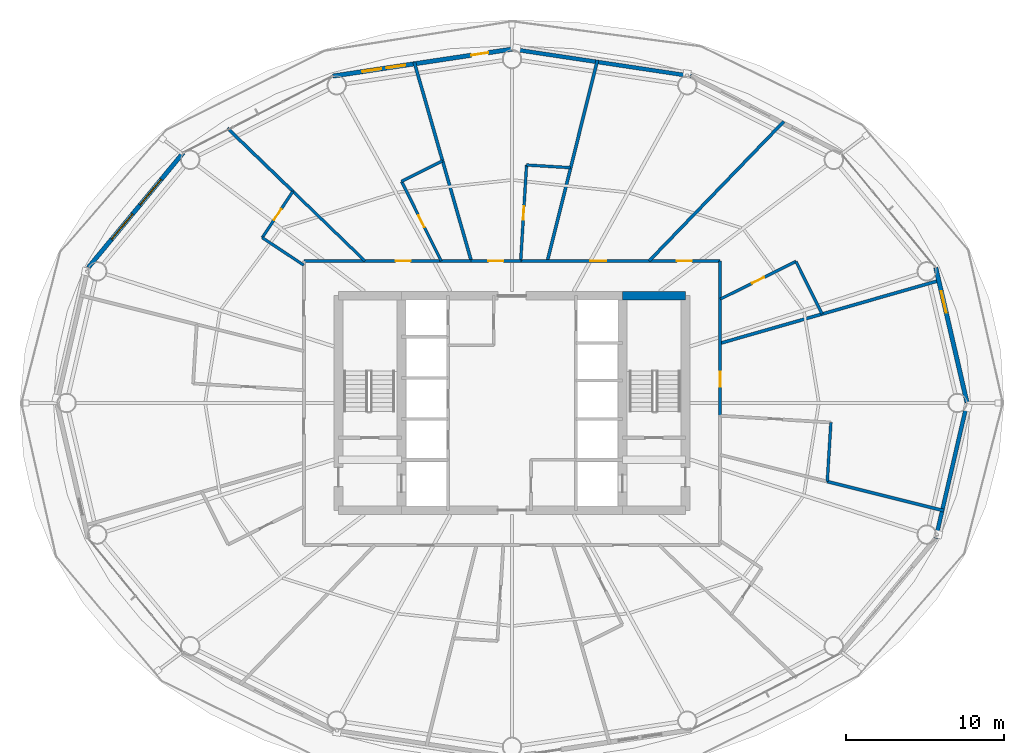
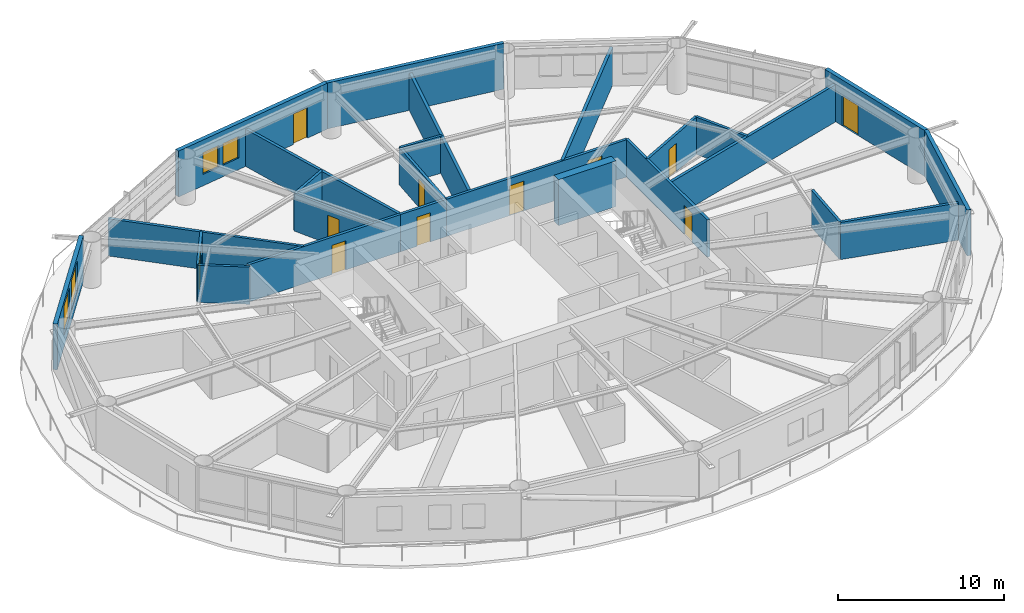
# One storey, part 20 of 24: 26 walls, 11 doors, 4 windows, 15 openings.
"""IFC4 building model written with IfcOpenShell, lengths in metres."""

from ifc_helpers import new_model, si_unit, direction, frame, frame_2d, origin, place, context, subcontext, project, spatial, rectangle, extrude, material, layer, layer_set, type_object, element, fill, save


model = new_model("IFC4")

# Units and contexts
model_context = context("Model", 3, precision=1e-05, world=origin(), true_north=direction((0.0, 1.0)))
body_context = subcontext(model_context, "Body", "Model", "MODEL_VIEW")
ifc_project = project(units=[si_unit("LENGTHUNIT", "METRE"), si_unit("AREAUNIT", "SQUARE_METRE"), si_unit("VOLUMEUNIT", "CUBIC_METRE"), si_unit("PLANEANGLEUNIT", "RADIAN"), si_unit("MASSUNIT", "GRAM", prefix="KILO")], contexts=[model_context])

# Site, building, storey
site_placement = place(None, origin())
site = spatial("IfcSite", under=ifc_project, at=site_placement, CompositionType="ELEMENT")
building_placement = place(site_placement, origin())
building = spatial("IfcBuilding", under=site, at=building_placement, Name="Sarneth Arch Tower", CompositionType="ELEMENT")
storey_placement = place(building_placement, frame((0.0, 0.0, 102.0)))
storey = spatial("IfcBuildingStorey", under=building, at=storey_placement, Name="L25", CompositionType="ELEMENT", Elevation=102.0)

# Wall
ifc_material_1 = material(Name="Concrete C60/75", Category="concrete")
ifc_layer_1 = layer(ifc_material_1, 0.550048828125)
ifc_layer_set_1 = layer_set([ifc_layer_1], Name="Concrete C60/75")
wall_type_1 = type_object("IfcWallType", Name="WALL-CORE-550", PredefinedType="SHEAR", material=ifc_layer_set_1)
wall_1_placement = place(storey_placement, frame((55.0, 48.800048828125, 0.0), z_axis=(0.0, 0.0, 1.0), x_axis=(1.0, 0.0, 0.0)))
element("IfcWall", 1, at=wall_1_placement, inside=storey, type_object=wall_type_1, Name="L25 Core shear wall N-E", PredefinedType="SHEAR", context=body_context, shape_type="SweptSolid", body=[
    extrude(rectangle(XDim=4.0, YDim=0.550048828125, at=frame_2d((2.0, 0.0))), origin(), (0.0, 0.0, 1.0), 3.3798828125),
])

# Wall, openings, doors
ifc_material_2 = material(Name="Double steel-stud corridor fire wall", Category="steel")
ifc_layer_2 = layer(ifc_material_2, 0.18994140625)
ifc_layer_set_2 = layer_set([ifc_layer_2], Name="Double steel-stud corridor fire wall")
wall_type_2 = type_object("IfcWallType", Name="WALL-CORR-190", PredefinedType="PARTITIONING", material=ifc_layer_set_2)
wall_2_placement = place(storey_placement, frame((48.518310546875, 51.0, 0.0), z_axis=(0.0, 0.0, 1.0), x_axis=(1.0, 0.0, 0.0)))
wall_2 = element("IfcWall", 2, at=wall_2_placement, inside=storey, type_object=wall_type_2, Name="L25 Interior partition W-L25-TP-004", PredefinedType="PARTITIONING", context=body_context, shape_type="SweptSolid", body=[
    extrude(rectangle(XDim=12.681640625, YDim=0.18994140625, at=frame_2d((6.3408203125, 0.0))), origin(), (0.0, 0.0, 1.0), 2.739990234375),
])
opening_1_placement = place(wall_2_placement, frame((4.455078125, 0.0, 0.0)))
opening_1 = element("IfcOpeningElement", 3, at=opening_1_placement, cuts=wall_2, Name="Opening FD-08", PredefinedType="OPENING", context=body_context, shape_type="SweptSolid", body=[
    extrude(rectangle(XDim=1.0, YDim=2.199951171875, at=frame_2d((0.5, 1.10009765625))), frame((0.0, 0.10498046875, 0.0), z_axis=(0.0, -1.0, 0.0), x_axis=(1.0, 0.0, 0.0)), (0.0, 0.0, 1.0), 0.2099609375),
])
opening_2_placement = place(wall_2_placement, frame((9.929931640625, 0.0, 0.0)))
opening_2 = element("IfcOpeningElement", 4, at=opening_2_placement, cuts=wall_2, Name="Opening FD-09", PredefinedType="OPENING", context=body_context, shape_type="SweptSolid", body=[
    extrude(rectangle(XDim=0.949951171875, YDim=2.14990234375, at=frame_2d((0.47509765625, 1.074951171875))), frame((0.0, 0.10498046875, 0.0), z_axis=(0.0, -1.0, 0.0), x_axis=(1.0, 0.0, 0.0)), (0.0, 0.0, 1.0), 0.2099609375),
])
ifc_material_3 = material(Name="Hardwood timber acoustic fire door", Category="wood")
door_type_1 = type_object("IfcDoorType", Name="DR-FD60-1000", OperationType="SINGLE_SWING_LEFT", PredefinedType="DOOR", material=ifc_material_3)
door_1_placement = place(opening_1_placement, origin())
door_1 = element("IfcDoor", 5, at=door_1_placement, inside=storey, type_object=door_type_1, Name="L25 Interior door DR-L25-AMN-02", OperationType="SINGLE_SWING_RIGHT", OverallHeight=2.199951171875, OverallWidth=1.0, PredefinedType="DOOR", context=body_context, shape_type="SweptSolid", body=[
    extrude(rectangle(XDim=1.0, YDim=2.199951171875, at=frame_2d((0.5, 1.10009765625))), frame((0.0, 0.02490234375, 0.0), z_axis=(0.0, -1.0, 0.0), x_axis=(1.0, 0.0, 0.0)), (0.0, 0.0, 1.0), 0.050048828125),
])
fill(opening_1, door_1)
ifc_material_4 = material(Name="Hardwood timber hotel entrance fire door", Category="wood")
door_type_2 = type_object("IfcDoorType", Name="DR-FD60-950", OperationType="SINGLE_SWING_RIGHT", PredefinedType="DOOR", material=ifc_material_4)
door_2_placement = place(opening_2_placement, origin())
door_2 = element("IfcDoor", 6, at=door_2_placement, inside=storey, type_object=door_type_2, Name="L25 Interior door DR-L25-KEY-01", OperationType="SINGLE_SWING_LEFT", OverallHeight=2.14990234375, OverallWidth=0.949951171875, PredefinedType="DOOR", context=body_context, shape_type="SweptSolid", body=[
    extrude(rectangle(XDim=0.949951171875, YDim=2.14990234375, at=frame_2d((0.47509765625, 1.074951171875))), frame((0.0, 0.02490234375, 0.0), z_axis=(0.0, -1.0, 0.0), x_axis=(1.0, 0.0, 0.0)), (0.0, 0.0, 1.0), 0.050048828125),
])
fill(opening_2, door_2)

# Wall, opening, door
wall_3_placement = place(storey_placement, frame((34.800048828125, 51.0, 0.0), z_axis=(0.0, 0.0, 1.0), x_axis=(1.0, 0.0, 0.0)))
wall_3 = element("IfcWall", 7, at=wall_3_placement, inside=storey, type_object=wall_type_2, Name="L25 Interior partition W-L25-TP-007", PredefinedType="PARTITIONING", context=body_context, shape_type="SweptSolid", body=[
    extrude(rectangle(XDim=10.652587890625, YDim=0.18994140625, at=frame_2d((5.326171875, 0.0))), origin(), (0.0, 0.0, 1.0), 2.739990234375),
])
opening_3_placement = place(wall_3_placement, frame((5.81640625, 0.0, 0.0)))
opening_3 = element("IfcOpeningElement", 8, at=opening_3_placement, cuts=wall_3, Name="Opening FD-09", PredefinedType="OPENING", context=body_context, shape_type="SweptSolid", body=[
    extrude(rectangle(XDim=0.949951171875, YDim=2.14990234375, at=frame_2d((0.47509765625, 1.074951171875))), frame((0.0, 0.10498046875, 0.0), z_axis=(0.0, -1.0, 0.0), x_axis=(1.0, 0.0, 0.0)), (0.0, 0.0, 1.0), 0.2099609375),
])
door_3_placement = place(opening_3_placement, origin())
door_3 = element("IfcDoor", 9, at=door_3_placement, inside=storey, type_object=door_type_2, Name="L25 Interior door DR-L25-KEY-04", OperationType="SINGLE_SWING_LEFT", OverallHeight=2.14990234375, OverallWidth=0.949951171875, PredefinedType="DOOR", context=body_context, shape_type="SweptSolid", body=[
    extrude(rectangle(XDim=0.949951171875, YDim=2.14990234375, at=frame_2d((0.47509765625, 1.074951171875))), frame((0.0, 0.02490234375, 0.0), z_axis=(0.0, -1.0, 0.0), x_axis=(1.0, 0.0, 0.0)), (0.0, 0.0, 1.0), 0.050048828125),
])
fill(opening_3, door_3)

wall_4_placement = place(storey_placement, frame((61.199951171875, 51.0, 0.0), z_axis=(0.0, 0.0, 1.0), x_axis=(0.0, -1.0, 0.0)))
wall_4 = element("IfcWall", 10, at=wall_4_placement, inside=storey, type_object=wall_type_2, Name="L25 Interior partition W-L25-TP-025", PredefinedType="PARTITIONING", context=body_context, shape_type="SweptSolid", body=[
    extrude(rectangle(XDim=9.83935546875, YDim=0.18994140625, at=frame_2d((4.919677734375, 0.0))), origin(), (0.0, 0.0, 1.0), 2.739990234375),
])
opening_4_placement = place(wall_4_placement, frame((7.035400390625, 0.0, 0.0)))
opening_4 = element("IfcOpeningElement", 11, at=opening_4_placement, cuts=wall_4, Name="Opening FD-09", PredefinedType="OPENING", context=body_context, shape_type="SweptSolid", body=[
    extrude(rectangle(XDim=0.949951171875, YDim=2.14990234375, at=frame_2d((0.47509765625, 1.074951171875))), frame((0.0, 0.10498046875, 0.0), z_axis=(0.0, -1.0, 0.0), x_axis=(1.0, 0.0, 0.0)), (0.0, 0.0, 1.0), 0.2099609375),
])
door_4_placement = place(opening_4_placement, origin())
door_4 = element("IfcDoor", 12, at=door_4_placement, inside=storey, type_object=door_type_2, Name="L25 Interior door DR-L25-KEY-12", OperationType="SINGLE_SWING_LEFT", OverallHeight=2.14990234375, OverallWidth=0.949951171875, PredefinedType="DOOR", context=body_context, shape_type="SweptSolid", body=[
    extrude(rectangle(XDim=0.949951171875, YDim=2.14990234375, at=frame_2d((0.47509765625, 1.074951171875))), frame((0.0, 0.02490234375, 0.0), z_axis=(0.0, -1.0, 0.0), x_axis=(1.0, 0.0, 0.0)), (0.0, 0.0, 1.0), 0.050048828125),
])
fill(opening_4, door_4)

wall_5_placement = place(storey_placement, frame((45.385986328125, 51.0, 0.0), z_axis=(0.0, 0.0, 1.0), x_axis=(1.0, 0.0, 0.0)))
wall_5 = element("IfcWall", 13, at=wall_5_placement, inside=storey, type_object=wall_type_2, Name="L25 Interior partition W-L25-TP-005", PredefinedType="PARTITIONING", context=body_context, shape_type="SweptSolid", body=[
    extrude(rectangle(XDim=3.196533203125, YDim=0.18994140625, at=frame_2d((1.59814453125, 0.0))), origin(), (0.0, 0.0, 1.0), 2.739990234375),
])
opening_5_placement = place(wall_5_placement, frame((1.123291015625, 0.0, 0.0)))
opening_5 = element("IfcOpeningElement", 14, at=opening_5_placement, cuts=wall_5, Name="Opening FD-09", PredefinedType="OPENING", context=body_context, shape_type="SweptSolid", body=[
    extrude(rectangle(XDim=0.949951171875, YDim=2.14990234375, at=frame_2d((0.47509765625, 1.074951171875))), frame((0.0, 0.10498046875, 0.0), z_axis=(0.0, -1.0, 0.0), x_axis=(1.0, 0.0, 0.0)), (0.0, 0.0, 1.0), 0.2099609375),
])
door_5_placement = place(opening_5_placement, origin())
door_5 = element("IfcDoor", 15, at=door_5_placement, inside=storey, type_object=door_type_2, Name="L25 Interior door DR-L25-KEY-03", OperationType="SINGLE_SWING_LEFT", OverallHeight=2.14990234375, OverallWidth=0.949951171875, PredefinedType="DOOR", context=body_context, shape_type="SweptSolid", body=[
    extrude(rectangle(XDim=0.949951171875, YDim=2.14990234375, at=frame_2d((0.47509765625, 1.074951171875))), frame((0.0, 0.02490234375, 0.0), z_axis=(0.0, -1.0, 0.0), x_axis=(1.0, 0.0, 0.0)), (0.0, 0.0, 1.0), 0.050048828125),
])
fill(opening_5, door_5)

# Walls
ifc_material_5 = material(Name="Extruded terracotta rainscreen on Concrete C40/50 backing", Category="masonry")
ifc_layer_3 = layer(ifc_material_5, 0.25)
ifc_layer_set_3 = layer_set([ifc_layer_3], Name="Extruded terracotta rainscreen on Concrete C40/50 backing")
wall_type_3 = type_object("IfcWallType", Name="WALL-EXT-SPAND-250", PredefinedType="SOLIDWALL", material=ifc_layer_set_3)
wall_6_placement = place(storey_placement, frame((59.351318359375, 62.72265625, 0.0), z_axis=(0.0, 0.0, 1.0), x_axis=(-0.988877774656, 0.148730450117, 0.0)))
element("IfcWall", 16, at=wall_6_placement, inside=storey, type_object=wall_type_3, Name="L25 Terracotta perimeter wall 04", PredefinedType="SOLIDWALL", context=body_context, shape_type="SweptSolid", body=[
    extrude(rectangle(XDim=11.47900390625, YDim=0.25, at=frame_2d((5.739501953125, 0.0))), origin(), (0.0, 0.0, 1.0), 3.3798828125),
])
wall_7_placement = place(storey_placement, frame((74.861328125, 33.41650390625, 0.0), z_axis=(0.0, 0.0, 1.0), x_axis=(0.22558597182, 0.974223264616, 0.0)))
element("IfcWall", 17, at=wall_7_placement, inside=storey, type_object=wall_type_3, Name="L25 Terracotta perimeter wall 16", PredefinedType="SOLIDWALL", context=body_context, shape_type="SweptSolid", body=[
    extrude(rectangle(XDim=8.810546875, YDim=0.25, at=frame_2d((4.4052734375, 0.0))), origin(), (0.0, 0.0, 1.0), 3.3798828125),
])

# Wall, opening, door
ifc_material_6 = material(Name="Extruded terracotta rainscreen on Concrete C40/50 backing", Category="masonry")
ifc_layer_4 = layer(ifc_material_6, 0.280029296875)
ifc_layer_set_4 = layer_set([ifc_layer_4], Name="Extruded terracotta rainscreen on Concrete C40/50 backing")
wall_type_4 = type_object("IfcWallType", Name="WALL-EXT-TERRA-280", PredefinedType="SOLIDWALL", material=ifc_layer_set_4)
wall_8_placement = place(storey_placement, frame((76.848876953125, 42.0, 0.0), z_axis=(0.0, 0.0, 1.0), x_axis=(-0.22558597182, 0.974223264616, 0.0)))
wall_8 = element("IfcWall", 18, at=wall_8_placement, inside=storey, type_object=wall_type_4, Name="L25 Terracotta perimeter wall 01", PredefinedType="SOLIDWALL", context=body_context, shape_type="SweptSolid", body=[
    extrude(rectangle(XDim=8.810546875, YDim=0.280029296875, at=frame_2d((4.4052734375, 0.0))), origin(), (0.0, 0.0, 1.0), 3.3798828125),
])
opening_6_placement = place(wall_8_placement, frame((5.87451171875, 0.0, 0.0)))
opening_6 = element("IfcOpeningElement", 19, at=opening_6_placement, cuts=wall_8, Name="Opening BD-2", PredefinedType="OPENING", context=body_context, shape_type="SweptSolid", body=[
    extrude(rectangle(XDim=1.39990234375, YDim=2.199951171875, at=frame_2d((0.699951171875, 1.10009765625))), frame((0.0, 0.14990234375, 0.0), z_axis=(0.0, -1.0, 0.0), x_axis=(1.0, 0.0, 0.0)), (0.0, 0.0, 1.0), 0.300048828125),
])
ifc_material_7 = material(Name="Thermally broken Aluminium 6063-T6 and laminated safety glass", Category="aluminium")
door_type_3 = type_object("IfcDoorType", Name="DR-BALC-GLZ-1400", OperationType="SINGLE_SWING_LEFT", PredefinedType="DOOR", material=ifc_material_7)
door_6_placement = place(opening_6_placement, origin())
door_6 = element("IfcDoor", 20, at=door_6_placement, inside=storey, type_object=door_type_3, Name="L25 Balcony glazed door 01", OperationType="SINGLE_SWING_LEFT", OverallHeight=2.199951171875, OverallWidth=1.39990234375, PredefinedType="DOOR", context=body_context, shape_type="SweptSolid", body=[
    extrude(rectangle(XDim=1.39990234375, YDim=2.199951171875, at=frame_2d((0.699951171875, 1.10009765625))), frame((0.0, 0.02490234375, 0.0), z_axis=(0.0, -1.0, 0.0), x_axis=(1.0, 0.0, 0.0)), (0.0, 0.0, 1.0), 0.050048828125),
])
fill(opening_6, door_6)

# Wall, openings, door, windows
wall_9_placement = place(storey_placement, frame((48.0, 64.429931640625, 0.0), z_axis=(0.0, 0.0, 1.0), x_axis=(-0.988877774656, -0.148730450117, 0.0)))
wall_9 = element("IfcWall", 21, at=wall_9_placement, inside=storey, type_object=wall_type_4, Name="L25 Terracotta perimeter wall 05", PredefinedType="SOLIDWALL", context=body_context, shape_type="SweptSolid", body=[
    extrude(rectangle(XDim=11.47900390625, YDim=0.280029296875, at=frame_2d((5.739501953125, 0.0))), origin(), (0.0, 0.0, 1.0), 3.3798828125),
])
opening_7_placement = place(wall_9_placement, frame((1.523681640625, 0.0, 0.0)))
opening_7 = element("IfcOpeningElement", 22, at=opening_7_placement, cuts=wall_9, Name="Opening BD-3", PredefinedType="OPENING", context=body_context, shape_type="SweptSolid", body=[
    extrude(rectangle(XDim=1.10009765625, YDim=2.25, at=frame_2d((0.550048828125, 1.125))), frame((0.0, 0.14990234375, 0.0), z_axis=(0.0, -1.0, 0.0), x_axis=(1.0, 0.0, 0.0)), (0.0, 0.0, 1.0), 0.300048828125),
])
opening_8_placement = place(wall_9_placement, frame((6.843017578125, 0.0, 0.85009765625)))
opening_8 = element("IfcOpeningElement", 23, at=opening_8_placement, cuts=wall_9, Name="Opening W-10", PredefinedType="OPENING", context=body_context, shape_type="SweptSolid", body=[
    extrude(rectangle(XDim=1.199951171875, YDim=1.60009765625, at=frame_2d((0.60009765625, 0.800048828125))), frame((0.0, 0.14990234375, 0.0), z_axis=(0.0, -1.0, 0.0), x_axis=(1.0, 0.0, 0.0)), (0.0, 0.0, 1.0), 0.300048828125),
])
opening_9_placement = place(wall_9_placement, frame((8.385009765625, 0.0, 0.85009765625)))
opening_9 = element("IfcOpeningElement", 24, at=opening_9_placement, cuts=wall_9, Name="Opening W-10", PredefinedType="OPENING", context=body_context, shape_type="SweptSolid", body=[
    extrude(rectangle(XDim=1.199951171875, YDim=1.60009765625, at=frame_2d((0.60009765625, 0.800048828125))), frame((0.0, 0.14990234375, 0.0), z_axis=(0.0, -1.0, 0.0), x_axis=(1.0, 0.0, 0.0)), (0.0, 0.0, 1.0), 0.300048828125),
])
ifc_material_8 = material(Name="Thermally broken Aluminium 6063-T6 and laminated safety glass", Category="aluminium")
door_type_4 = type_object("IfcDoorType", Name="DR-BALC-GLZ-1100", OperationType="SINGLE_SWING_LEFT", PredefinedType="DOOR", material=ifc_material_8)
door_7_placement = place(opening_7_placement, origin())
door_7 = element("IfcDoor", 25, at=door_7_placement, inside=storey, type_object=door_type_4, Name="L25 Balcony glazed door 05", OperationType="SINGLE_SWING_LEFT", OverallHeight=2.25, OverallWidth=1.10009765625, PredefinedType="DOOR", context=body_context, shape_type="SweptSolid", body=[
    extrude(rectangle(XDim=1.10009765625, YDim=2.25, at=frame_2d((0.550048828125, 1.125))), frame((0.0, 0.02490234375, 0.0), z_axis=(0.0, -1.0, 0.0), x_axis=(1.0, 0.0, 0.0)), (0.0, 0.0, 1.0), 0.050048828125),
])
fill(opening_7, door_7)
ifc_material_9 = material(Name="Thermally broken Aluminium 6063-T6 and low-e laminated IGU", Category="aluminium")
window_type_1 = type_object("IfcWindowType", Name="WIN-TWR-1200x1600", PartitioningType="SINGLE_PANEL", PredefinedType="WINDOW", material=ifc_material_9)
window_1_placement = place(opening_8_placement, origin())
window_1 = element("IfcWindow", 26, at=window_1_placement, inside=storey, type_object=window_type_1, Name="L25 Exterior window 05A", OverallHeight=1.60009765625, OverallWidth=1.199951171875, PartitioningType="SINGLE_PANEL", PredefinedType="WINDOW", context=body_context, shape_type="SweptSolid", body=[
    extrude(rectangle(XDim=1.199951171875, YDim=1.60009765625, at=frame_2d((0.60009765625, 0.800048828125))), frame((0.0, 0.030029296875, 0.0), z_axis=(0.0, -1.0, 0.0), x_axis=(1.0, 0.0, 0.0)), (0.0, 0.0, 1.0), 0.06005859375),
])
fill(opening_8, window_1)
window_2_placement = place(opening_9_placement, origin())
window_2 = element("IfcWindow", 27, at=window_2_placement, inside=storey, type_object=window_type_1, Name="L25 Exterior window 05B", OverallHeight=1.60009765625, OverallWidth=1.199951171875, PartitioningType="SINGLE_PANEL", PredefinedType="WINDOW", context=body_context, shape_type="SweptSolid", body=[
    extrude(rectangle(XDim=1.199951171875, YDim=1.60009765625, at=frame_2d((0.60009765625, 0.800048828125))), frame((0.0, 0.030029296875, 0.0), z_axis=(0.0, -1.0, 0.0), x_axis=(1.0, 0.0, 0.0)), (0.0, 0.0, 1.0), 0.06005859375),
])
fill(opening_9, window_2)

# Wall, openings, windows
wall_10_placement = place(storey_placement, frame((27.159912109375, 57.8603515625, 0.0), z_axis=(0.0, 0.0, 1.0), x_axis=(-0.637505817448, -0.770445541696, 0.0)))
wall_10 = element("IfcWall", 28, at=wall_10_placement, inside=storey, type_object=wall_type_4, Name="L25 Terracotta perimeter wall 07", PredefinedType="SOLIDWALL", context=body_context, shape_type="SweptSolid", body=[
    extrude(rectangle(XDim=9.445068359375, YDim=0.280029296875, at=frame_2d((4.72265625, 0.0))), origin(), (0.0, 0.0, 1.0), 3.3798828125),
])
opening_10_placement = place(wall_10_placement, frame((2.196533203125, 0.0, 0.85009765625)))
opening_10 = element("IfcOpeningElement", 29, at=opening_10_placement, cuts=wall_10, Name="Opening W-03", PredefinedType="OPENING", context=body_context, shape_type="SweptSolid", body=[
    extrude(rectangle(XDim=2.10009765625, YDim=2.199951171875, at=frame_2d((1.050048828125, 1.10009765625))), frame((0.0, 0.14990234375, 0.0), z_axis=(0.0, -1.0, 0.0), x_axis=(1.0, 0.0, 0.0)), (0.0, 0.0, 1.0), 0.300048828125),
])
opening_11_placement = place(wall_10_placement, frame((5.031982421875, 0.0, 0.85009765625)))
opening_11 = element("IfcOpeningElement", 30, at=opening_11_placement, cuts=wall_10, Name="Opening W-03", PredefinedType="OPENING", context=body_context, shape_type="SweptSolid", body=[
    extrude(rectangle(XDim=2.10009765625, YDim=2.199951171875, at=frame_2d((1.050048828125, 1.10009765625))), frame((0.0, 0.14990234375, 0.0), z_axis=(0.0, -1.0, 0.0), x_axis=(1.0, 0.0, 0.0)), (0.0, 0.0, 1.0), 0.300048828125),
])
ifc_material_10 = material(Name="Thermally broken Aluminium 6063-T6 and low-e laminated IGU", Category="aluminium")
window_type_2 = type_object("IfcWindowType", Name="WIN-TWR-2100x2200", PartitioningType="DOUBLE_PANEL_VERTICAL", PredefinedType="WINDOW", material=ifc_material_10)
window_3_placement = place(opening_10_placement, origin())
window_3 = element("IfcWindow", 31, at=window_3_placement, inside=storey, type_object=window_type_2, Name="L25 Exterior window 07A", OverallHeight=2.199951171875, OverallWidth=2.10009765625, PartitioningType="SINGLE_PANEL", PredefinedType="WINDOW", context=body_context, shape_type="SweptSolid", body=[
    extrude(rectangle(XDim=2.10009765625, YDim=2.199951171875, at=frame_2d((1.050048828125, 1.10009765625))), frame((0.0, 0.030029296875, 0.0), z_axis=(0.0, -1.0, 0.0), x_axis=(1.0, 0.0, 0.0)), (0.0, 0.0, 1.0), 0.06005859375),
])
fill(opening_10, window_3)
window_4_placement = place(opening_11_placement, origin())
window_4 = element("IfcWindow", 32, at=window_4_placement, inside=storey, type_object=window_type_2, Name="L25 Exterior window 07B", OverallHeight=2.199951171875, OverallWidth=2.10009765625, PartitioningType="SINGLE_PANEL", PredefinedType="WINDOW", context=body_context, shape_type="SweptSolid", body=[
    extrude(rectangle(XDim=2.10009765625, YDim=2.199951171875, at=frame_2d((1.050048828125, 1.10009765625))), frame((0.0, 0.030029296875, 0.0), z_axis=(0.0, -1.0, 0.0), x_axis=(1.0, 0.0, 0.0)), (0.0, 0.0, 1.0), 0.06005859375),
])
fill(opening_11, window_4)

# Wall
ifc_material_11 = material(Name="Moisture-resistant plumbing chase wall", Category="gypsum")
ifc_layer_5 = layer(ifc_material_11, 0.179931640625)
ifc_layer_set_5 = layer_set([ifc_layer_5], Name="Moisture-resistant plumbing chase wall")
wall_type_5 = type_object("IfcWallType", Name="WALL-PLUMB-180", PredefinedType="PLUMBINGWALL", material=ifc_layer_set_5)
wall_11_placement = place(storey_placement, frame((34.111083984375, 55.41259765625, 0.0), z_axis=(0.0, 0.0, 1.0), x_axis=(0.719318009274, -0.694680935059, 0.0)))
element("IfcWall", 33, at=wall_11_placement, inside=storey, type_object=wall_type_5, Name="L25 Interior partition W-L25-TP-041", PredefinedType="PLUMBINGWALL", context=body_context, shape_type="SweptSolid", body=[
    extrude(rectangle(XDim=6.35205078125, YDim=0.179931640625, at=frame_2d((3.176025390625, 0.0))), origin(), (0.0, 0.0, 1.0), 2.739990234375),
])

# Wall, opening, door
wall_12_placement = place(storey_placement, frame((48.922607421875, 57.083740234375, 0.0), z_axis=(0.0, 0.0, 1.0), x_axis=(-0.061044096749, -0.998135070144, 0.0)))
wall_12 = element("IfcWall", 34, at=wall_12_placement, inside=storey, type_object=wall_type_5, Name="L25 Interior partition W-L25-TP-035", PredefinedType="PLUMBINGWALL", context=body_context, shape_type="SweptSolid", body=[
    extrude(rectangle(XDim=6.09521484375, YDim=0.179931640625, at=frame_2d((3.047607421875, 0.0))), origin(), (0.0, 0.0, 1.0), 2.739990234375),
])
opening_12_placement = place(wall_12_placement, frame((2.62255859375, 0.0, 0.0)))
opening_12 = element("IfcOpeningElement", 35, at=opening_12_placement, cuts=wall_12, Name="Opening ID-02", PredefinedType="OPENING", context=body_context, shape_type="SweptSolid", body=[
    extrude(rectangle(XDim=0.85009765625, YDim=2.10009765625, at=frame_2d((0.425048828125, 1.050048828125))), frame((0.0, 0.099853515625, 0.0), z_axis=(0.0, -1.0, 0.0), x_axis=(1.0, 0.0, 0.0)), (0.0, 0.0, 1.0), 0.199951171875),
])
ifc_material_12 = material(Name="Moisture-resistant bathroom timber door", Category="wood")
door_type_5 = type_object("IfcDoorType", Name="DR-INT-850", OperationType="SINGLE_SWING_RIGHT", PredefinedType="DOOR", material=ifc_material_12)
door_8_placement = place(opening_12_placement, origin())
door_8 = element("IfcDoor", 36, at=door_8_placement, inside=storey, type_object=door_type_5, Name="L25 Interior door DR-L25-ENS-03", OperationType="SINGLE_SWING_RIGHT", OverallHeight=2.10009765625, OverallWidth=0.85009765625, PredefinedType="DOOR", context=body_context, shape_type="SweptSolid", body=[
    extrude(rectangle(XDim=0.85009765625, YDim=2.10009765625, at=frame_2d((0.425048828125, 1.050048828125))), frame((0.0, 0.02490234375, 0.0), z_axis=(0.0, -1.0, 0.0), x_axis=(1.0, 0.0, 0.0)), (0.0, 0.0, 1.0), 0.050048828125),
])
fill(opening_12, door_8)

wall_13_placement = place(storey_placement, frame((40.99658203125, 56.046875, 0.0), z_axis=(0.0, 0.0, 1.0), x_axis=(0.446174269641, -0.894946099556, 0.0)))
wall_13 = element("IfcWall", 37, at=wall_13_placement, inside=storey, type_object=wall_type_5, Name="L25 Interior partition W-L25-TP-039", PredefinedType="PLUMBINGWALL", context=body_context, shape_type="SweptSolid", body=[
    extrude(rectangle(XDim=5.639404296875, YDim=0.179931640625, at=frame_2d((2.81982421875, 0.0))), origin(), (0.0, 0.0, 1.0), 2.739990234375),
])
opening_13_placement = place(wall_13_placement, frame((2.394775390625, 0.0, 0.0)))
opening_13 = element("IfcOpeningElement", 38, at=opening_13_placement, cuts=wall_13, Name="Opening ID-02", PredefinedType="OPENING", context=body_context, shape_type="SweptSolid", body=[
    extrude(rectangle(XDim=0.85009765625, YDim=2.10009765625, at=frame_2d((0.425048828125, 1.050048828125))), frame((0.0, 0.099853515625, 0.0), z_axis=(0.0, -1.0, 0.0), x_axis=(1.0, 0.0, 0.0)), (0.0, 0.0, 1.0), 0.199951171875),
])
door_9_placement = place(opening_13_placement, origin())
door_9 = element("IfcDoor", 39, at=door_9_placement, inside=storey, type_object=door_type_5, Name="L25 Interior door DR-L25-ENS-04", OperationType="SINGLE_SWING_RIGHT", OverallHeight=2.10009765625, OverallWidth=0.85009765625, PredefinedType="DOOR", context=body_context, shape_type="SweptSolid", body=[
    extrude(rectangle(XDim=0.85009765625, YDim=2.10009765625, at=frame_2d((0.425048828125, 1.050048828125))), frame((0.0, 0.02490234375, 0.0), z_axis=(0.0, -1.0, 0.0), x_axis=(1.0, 0.0, 0.0)), (0.0, 0.0, 1.0), 0.050048828125),
])
fill(opening_13, door_9)

wall_14_placement = place(storey_placement, frame((65.997802734375, 50.973388671875, 0.0), z_axis=(0.0, 0.0, 1.0), x_axis=(-0.894936648514, -0.446193226244, 0.0)))
wall_14 = element("IfcWall", 40, at=wall_14_placement, inside=storey, type_object=wall_type_5, Name="L25 Interior partition W-L25-TP-028", PredefinedType="PLUMBINGWALL", context=body_context, shape_type="SweptSolid", body=[
    extrude(rectangle(XDim=5.361083984375, YDim=0.179931640625, at=frame_2d((2.6806640625, 0.0))), origin(), (0.0, 0.0, 1.0), 2.739990234375),
])
opening_14_placement = place(wall_14_placement, frame((2.255615234375, 0.0, 0.0)))
opening_14 = element("IfcOpeningElement", 41, at=opening_14_placement, cuts=wall_14, Name="Opening ID-02", PredefinedType="OPENING", context=body_context, shape_type="SweptSolid", body=[
    extrude(rectangle(XDim=0.85009765625, YDim=2.10009765625, at=frame_2d((0.425048828125, 1.050048828125))), frame((0.0, 0.099853515625, 0.0), z_axis=(0.0, -1.0, 0.0), x_axis=(1.0, 0.0, 0.0)), (0.0, 0.0, 1.0), 0.199951171875),
])
door_10_placement = place(opening_14_placement, origin())
door_10 = element("IfcDoor", 42, at=door_10_placement, inside=storey, type_object=door_type_5, Name="L25 Interior door DR-L25-ENS-01", OperationType="SINGLE_SWING_LEFT", OverallHeight=2.10009765625, OverallWidth=0.85009765625, PredefinedType="DOOR", context=body_context, shape_type="SweptSolid", body=[
    extrude(rectangle(XDim=0.85009765625, YDim=2.10009765625, at=frame_2d((0.425048828125, 1.050048828125))), frame((0.0, 0.02490234375, 0.0), z_axis=(0.0, -1.0, 0.0), x_axis=(1.0, 0.0, 0.0)), (0.0, 0.0, 1.0), 0.050048828125),
])
fill(opening_14, door_10)

# Walls
wall_15_placement = place(storey_placement, frame((68.213134765625, 40.763671875, 0.0), z_axis=(0.0, 0.0, 1.0), x_axis=(-0.061013519028, -0.998136939751, 0.0)))
element("IfcWall", 43, at=wall_15_placement, inside=storey, type_object=wall_type_5, Name="L25 Interior partition W-L25-TP-068", PredefinedType="PLUMBINGWALL", context=body_context, shape_type="SweptSolid", body=[
    extrude(rectangle(XDim=3.75341796875, YDim=0.179931640625, at=frame_2d((1.876708984375, 0.0))), origin(), (0.0, 0.0, 1.0), 2.739990234375),
])
wall_16_placement = place(storey_placement, frame((67.6611328125, 47.6376953125, 0.0), z_axis=(0.0, 0.0, 1.0), x_axis=(-0.446243949247, 0.894911357488, 0.0)))
element("IfcWall", 44, at=wall_16_placement, inside=storey, type_object=wall_type_5, Name="L25 Interior partition W-L25-TP-027", PredefinedType="PLUMBINGWALL", context=body_context, shape_type="SweptSolid", body=[
    extrude(rectangle(XDim=3.727294921875, YDim=0.179931640625, at=frame_2d((1.86376953125, 0.0))), origin(), (0.0, 0.0, 1.0), 2.739990234375),
])

# Wall, opening, door
wall_17_placement = place(storey_placement, frame((32.1689453125, 52.478515625, 0.0), z_axis=(0.0, 0.0, 1.0), x_axis=(0.551959146688, 0.833871153349, 0.0)))
wall_17 = element("IfcWall", 45, at=wall_17_placement, inside=storey, type_object=wall_type_5, Name="L25 Interior partition W-L25-TP-043", PredefinedType="PLUMBINGWALL", context=body_context, shape_type="SweptSolid", body=[
    extrude(rectangle(XDim=3.5185546875, YDim=0.179931640625, at=frame_2d((1.75927734375, 0.0))), origin(), (0.0, 0.0, 1.0), 2.739990234375),
])
opening_15_placement = place(wall_17_placement, frame((1.334228515625, 0.0, 0.0)))
opening_15 = element("IfcOpeningElement", 46, at=opening_15_placement, cuts=wall_17, Name="Opening ID-02", PredefinedType="OPENING", context=body_context, shape_type="SweptSolid", body=[
    extrude(rectangle(XDim=0.85009765625, YDim=2.10009765625, at=frame_2d((0.425048828125, 1.050048828125))), frame((0.0, 0.099853515625, 0.0), z_axis=(0.0, -1.0, 0.0), x_axis=(1.0, 0.0, 0.0)), (0.0, 0.0, 1.0), 0.199951171875),
])
door_11_placement = place(opening_15_placement, origin())
door_11 = element("IfcDoor", 47, at=door_11_placement, inside=storey, type_object=door_type_5, Name="L25 Interior door DR-L25-ENS-05", OperationType="SINGLE_SWING_RIGHT", OverallHeight=2.10009765625, OverallWidth=0.85009765625, PredefinedType="DOOR", context=body_context, shape_type="SweptSolid", body=[
    extrude(rectangle(XDim=0.85009765625, YDim=2.10009765625, at=frame_2d((0.425048828125, 1.050048828125))), frame((0.0, 0.02490234375, 0.0), z_axis=(0.0, -1.0, 0.0), x_axis=(1.0, 0.0, 0.0)), (0.0, 0.0, 1.0), 0.050048828125),
])
fill(opening_15, door_11)

# Walls
wall_18_placement = place(storey_placement, frame((34.800048828125, 50.73681640625, 0.0), z_axis=(0.0, 0.0, 1.0), x_axis=(-0.833855219674, 0.5519832177, 0.0)))
element("IfcWall", 48, at=wall_18_placement, inside=storey, type_object=wall_type_5, Name="L25 Interior partition W-L25-TP-042", PredefinedType="PLUMBINGWALL", context=body_context, shape_type="SweptSolid", body=[
    extrude(rectangle(XDim=3.1552734375, YDim=0.179931640625, at=frame_2d((1.57763671875, 0.0))), origin(), (0.0, 0.0, 1.0), 2.739990234375),
])
wall_19_placement = place(storey_placement, frame((43.599853515625, 57.344970703125, 0.0), z_axis=(0.0, 0.0, 1.0), x_axis=(-0.894913437672, -0.446239777558, 0.0)))
element("IfcWall", 49, at=wall_19_placement, inside=storey, type_object=wall_type_5, Name="L25 Interior partition W-L25-TP-038", PredefinedType="PLUMBINGWALL", context=body_context, shape_type="SweptSolid", body=[
    extrude(rectangle(XDim=2.908935546875, YDim=0.179931640625, at=frame_2d((1.45458984375, 0.0))), origin(), (0.0, 0.0, 1.0), 2.739990234375),
])
wall_20_placement = place(storey_placement, frame((51.71826171875, 56.912841796875, 0.0), z_axis=(0.0, 0.0, 1.0), x_axis=(-0.998136779925, 0.061016133608, 0.0)))
element("IfcWall", 50, at=wall_20_placement, inside=storey, type_object=wall_type_5, Name="L25 Interior partition W-L25-TP-034", PredefinedType="PLUMBINGWALL", context=body_context, shape_type="SweptSolid", body=[
    extrude(rectangle(XDim=2.80078125, YDim=0.179931640625, at=frame_2d((1.400390625, 0.0))), origin(), (0.0, 0.0, 1.0), 2.739990234375),
])
ifc_material_13 = material(Name="Double steel-stud acoustic drywall", Category="steel")
ifc_layer_6 = layer(ifc_material_13, 0.199951171875)
ifc_layer_set_6 = layer_set([ifc_layer_6], Name="Double steel-stud acoustic drywall")
wall_type_6 = type_object("IfcWallType", Name="WALL-UNIT-200", PredefinedType="PARTITIONING", material=ifc_layer_set_6)
wall_21_placement = place(storey_placement, frame((65.228271484375, 59.840087890625, 0.0), z_axis=(0.0, 0.0, 1.0), x_axis=(-0.694672506389, -0.719326149161, 0.0)))
element("IfcWall", 51, at=wall_21_placement, inside=storey, type_object=wall_type_6, Name="L25 Interior partition W-L25-TP-029", PredefinedType="PARTITIONING", context=body_context, shape_type="SweptSolid", body=[
    extrude(rectangle(XDim=12.289306640625, YDim=0.199951171875, at=frame_2d((6.14453125, 0.0))), origin(), (0.0, 0.0, 1.0), 2.739990234375),
])
wall_22_placement = place(storey_placement, frame((61.199951171875, 45.784912109375, 0.0), z_axis=(0.0, 0.0, 1.0), x_axis=(0.961261030421, 0.275639676741, 0.0)))
element("IfcWall", 52, at=wall_22_placement, inside=storey, type_object=wall_type_6, Name="L25 Interior partition W-L25-TP-030", PredefinedType="PARTITIONING", context=body_context, shape_type="SweptSolid", body=[
    extrude(rectangle(XDim=14.53125, YDim=0.199951171875, at=frame_2d((7.265625, 0.0))), origin(), (0.0, 0.0, 1.0), 2.739990234375),
])
wall_23_placement = place(storey_placement, frame((75.390625, 35.1708984375, 0.0), z_axis=(0.0, 0.0, 1.0), x_axis=(-0.970302209845, 0.241895889938, 0.0)))
element("IfcWall", 53, at=wall_23_placement, inside=storey, type_object=wall_type_6, Name="L25 Interior partition W-L25-TP-065", PredefinedType="PARTITIONING", context=body_context, shape_type="SweptSolid", body=[
    extrude(rectangle(XDim=7.63330078125, YDim=0.199951171875, at=frame_2d((3.816650390625, 0.0))), origin(), (0.0, 0.0, 1.0), 2.739990234375),
])
wall_24_placement = place(storey_placement, frame((50.243896484375, 51.0, 0.0), z_axis=(0.0, 0.0, 1.0), x_axis=(0.241918476077, 0.970296578852, 0.0)))
element("IfcWall", 54, at=wall_24_placement, inside=storey, type_object=wall_type_6, Name="L25 Interior partition W-L25-TP-032", PredefinedType="PARTITIONING", context=body_context, shape_type="SweptSolid", body=[
    extrude(rectangle(XDim=13.12548828125, YDim=0.199951171875, at=frame_2d((6.562744140625, 0.0))), origin(), (0.0, 0.0, 1.0), 2.739990234375),
])
wall_25_placement = place(storey_placement, frame((45.419189453125, 51.0, 0.0), z_axis=(0.0, 0.0, 1.0), x_axis=(-0.275639731411, 0.961261014745, 0.0)))
element("IfcWall", 55, at=wall_25_placement, inside=storey, type_object=wall_type_6, Name="L25 Interior partition W-L25-TP-037", PredefinedType="PARTITIONING", context=body_context, shape_type="SweptSolid", body=[
    extrude(rectangle(XDim=13.12646484375, YDim=0.199951171875, at=frame_2d((6.563232421875, 0.0))), origin(), (0.0, 0.0, 1.0), 2.739990234375),
])
wall_26_placement = place(storey_placement, frame((29.958740234375, 59.422119140625, 0.0), z_axis=(0.0, 0.0, 1.0), x_axis=(0.719370121813, -0.694626970281, 0.0)))
element("IfcWall", 56, at=wall_26_placement, inside=storey, type_object=wall_type_6, Name="L25 Interior partition W-L25-TP-040", PredefinedType="PARTITIONING", context=body_context, shape_type="SweptSolid", body=[
    extrude(rectangle(XDim=5.772216796875, YDim=0.199951171875, at=frame_2d((2.88623046875, 0.0))), origin(), (0.0, 0.0, 1.0), 2.739990234375),
])

save(model, "model.ifc")
